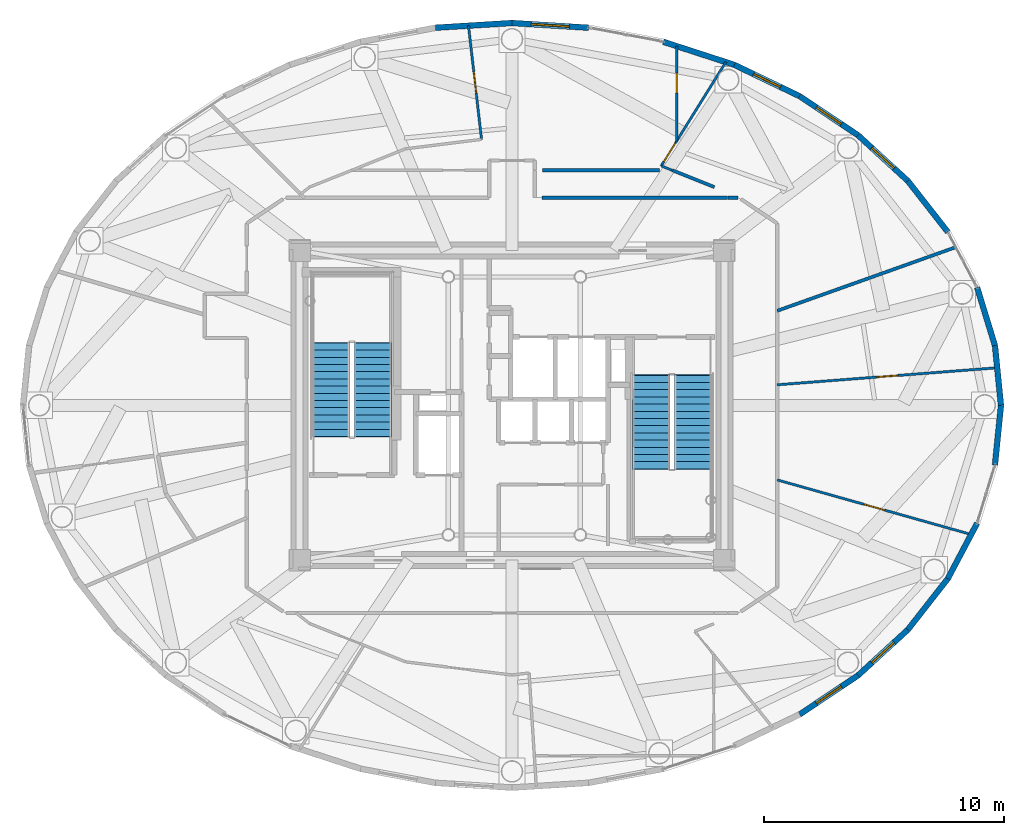
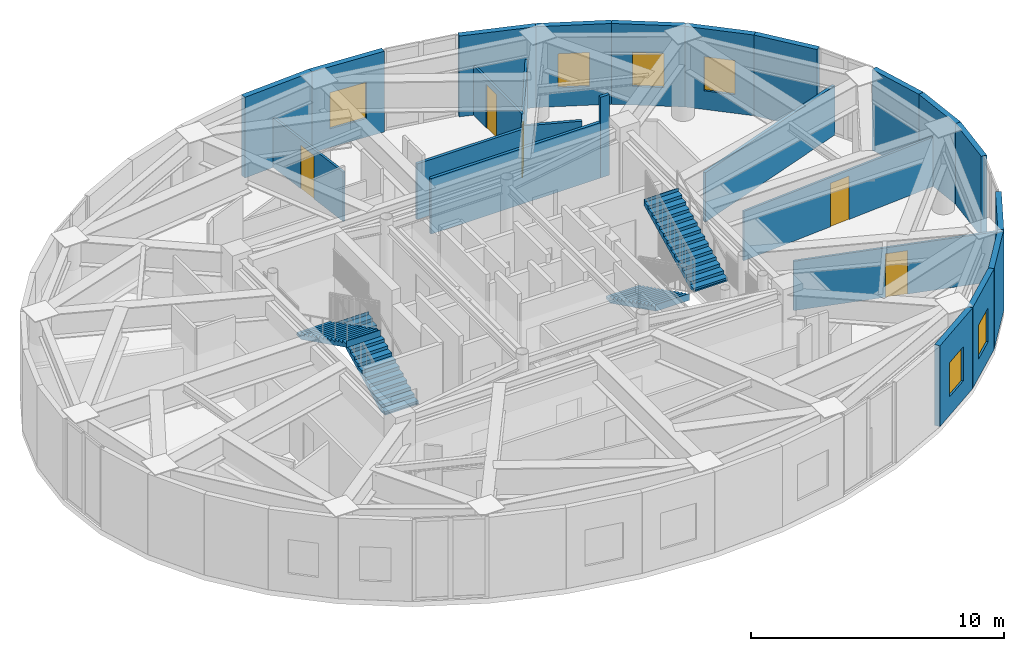
# One storey, part 17 of 23: 25 walls, 6 windows, 5 doors, 4 stair flights, 11 openings, 2 elements without a shape of their own.
"""IFC4 building model written with IfcOpenShell, lengths in metres."""

from ifc_helpers import new_model, si_unit, direction, frame, frame_2d, origin, origin_2d, place, context, subcontext, project, spatial, polyline, rectangle, outline, extrude, source, transform, mapped, material, layer, layer_set, type_object, element, fill, aggregate, save


model = new_model("IFC4")

# Units and contexts
model_context = context("Model", 3, precision=1e-05, world=origin(), true_north=direction((0.0, 1.0)))
body_context = subcontext(model_context, "Body", "Model", "MODEL_VIEW")
ifc_project = project(units=[si_unit("LENGTHUNIT", "METRE"), si_unit("AREAUNIT", "SQUARE_METRE"), si_unit("VOLUMEUNIT", "CUBIC_METRE"), si_unit("PLANEANGLEUNIT", "RADIAN"), si_unit("MASSUNIT", "GRAM", prefix="KILO")], contexts=[model_context])

# Site, building, storey
site_placement = place(None, origin())
site = spatial("IfcSite", under=ifc_project, at=site_placement, CompositionType="ELEMENT")
building_placement = place(site_placement, origin())
building = spatial("IfcBuilding", under=site, at=building_placement, Name="Linh Dai School and Residence Tower", CompositionType="ELEMENT")
storey_placement = place(building_placement, frame((0.0, 0.0, 359.39990234375)))
storey = spatial("IfcBuildingStorey", under=building, at=storey_placement, Name="L89", CompositionType="ELEMENT", Elevation=359.39990234375)

# Walls
ifc_material_1 = material(Name="Precast Concrete B45 (C35/45)", Category="concrete")
ifc_layer_1 = layer(ifc_material_1, 0.239990234375)
ifc_layer_set_1 = layer_set([ifc_layer_1], Name="Precast Concrete B45 (C35/45)")
wall_type_1 = type_object("IfcWallType", Name="EW-TC-240", PredefinedType="SOLIDWALL", material=ifc_layer_set_1)
wall_1_placement = place(storey_placement, frame((56.125, 29.48681640625, 0.0), z_axis=(0.0, 0.0, 1.0), x_axis=(0.100025963401, -0.994984827344, 0.0)))
element("IfcWall", 1, at=wall_1_placement, inside=storey, type_object=wall_type_1, Name="L89 Terracotta Exterior Wall 01", PredefinedType="SOLIDWALL", context=body_context, shape_type="SweptSolid", body=[
    extrude(rectangle(XDim=2.499267578125, YDim=0.239990234375, at=frame_2d((1.24951171875, 0.0))), origin(), (0.0, 0.0, 1.0), 3.900146484375),
])
wall_2_placement = place(storey_placement, frame((55.381103515625, 31.913330078125, 0.0), z_axis=(0.0, 0.0, 1.0), x_axis=(0.293105547213, -0.956080089842, 0.0)))
element("IfcWall", 2, at=wall_2_placement, inside=storey, type_object=wall_type_1, Name="L89 Terracotta Exterior Wall 02", PredefinedType="SOLIDWALL", context=body_context, shape_type="SweptSolid", body=[
    extrude(rectangle(XDim=2.5380859375, YDim=0.239990234375, at=frame_2d((1.26904296875, 0.0))), origin(), (0.0, 0.0, 1.0), 3.900146484375),
])
wall_3_placement = place(storey_placement, frame((52.4931640625, 36.351806640625, 0.0), z_axis=(0.0, 0.0, 1.0), x_axis=(0.616286367698, -0.78752213492, 0.0)))
element("IfcWall", 3, at=wall_3_placement, inside=storey, type_object=wall_type_1, Name="L89 Terracotta Exterior Wall 04", PredefinedType="SOLIDWALL", context=body_context, shape_type="SweptSolid", body=[
    extrude(rectangle(XDim=2.7060546875, YDim=0.239990234375, at=frame_2d((1.35302734375, 0.0))), origin(), (0.0, 0.0, 1.0), 3.900146484375),
])

# Wall, opening, window
wall_4_placement = place(storey_placement, frame((50.418701171875, 38.254150390625, 0.0), z_axis=(0.0, 0.0, 1.0), x_axis=(0.737020907932, -0.675869944051, 0.0)))
wall_4 = element("IfcWall", 4, at=wall_4_placement, inside=storey, type_object=wall_type_1, Name="L89 Terracotta Exterior Wall 05", PredefinedType="SOLIDWALL", context=body_context, shape_type="SweptSolid", body=[
    extrude(rectangle(XDim=2.814697265625, YDim=0.239990234375, at=frame_2d((1.4072265625, 0.0))), origin(), (0.0, 0.0, 1.0), 3.900146484375),
])
opening_1_placement = place(wall_4_placement, frame((0.781982421875, 0.0, 0.89990234375)))
opening_1 = element("IfcOpeningElement", 5, at=opening_1_placement, cuts=wall_4, Name="Opening W3", PredefinedType="OPENING", context=body_context, shape_type="SweptSolid", body=[
    extrude(rectangle(XDim=1.25, YDim=1.64990234375, at=origin_2d()), frame((0.625, 0.1298828125, 0.824951171875), z_axis=(0.0, -1.0, 0.0), x_axis=(1.0, 0.0, 0.0)), (0.0, 0.0, 1.0), 0.260009765625),
])
ifc_material_2 = material(Name="Double Low-E Insulated Glazing", Category="glass")
window_type_1 = type_object("IfcWindowType", Name="WN-RES-1250x1650", PartitioningType="SINGLE_PANEL", PredefinedType="WINDOW", material=ifc_material_2)
shared_shape_1 = source(origin(), body_context, "Body", "SweptSolid", [
    extrude(rectangle(XDim=1.25, YDim=1.64990234375, at=origin_2d()), frame((0.625, 0.030029296875, 0.824951171875), z_axis=(0.0, -1.0, 0.0), x_axis=(1.0, 0.0, 0.0)), (0.0, 0.0, 1.0), 0.06005859375),
])
window_1_placement = place(opening_1_placement, origin())
window_1 = element("IfcWindow", 6, at=window_1_placement, inside=storey, type_object=window_type_1, Name="L89 Exterior Window 05.1", OverallHeight=1.64990234375, OverallWidth=1.25, PartitioningType="SINGLE_PANEL", PredefinedType="WINDOW", context=body_context, shape_type="MappedRepresentation", body=[
    mapped(shared_shape_1, transform((0.0, 0.0, 0.0), x_axis=(1.0, 0.0, 0.0), y_axis=(0.0, 1.0, 0.0), z_axis=(0.0, 0.0, 1.0), scale=1.0)),
])
fill(opening_1, window_1)

wall_5_placement = place(storey_placement, frame((47.98779296875, 39.880126953125, 0.0), z_axis=(0.0, 0.0, 1.0), x_axis=(0.831201688654, -0.555970999944, 0.0)))
wall_5 = element("IfcWall", 7, at=wall_5_placement, inside=storey, type_object=wall_type_1, Name="L89 Terracotta Exterior Wall 06", PredefinedType="SOLIDWALL", context=body_context, shape_type="SweptSolid", body=[
    extrude(rectangle(XDim=2.924560546875, YDim=0.239990234375, at=frame_2d((1.46240234375, 0.0))), origin(), (0.0, 0.0, 1.0), 3.900146484375),
])
opening_2_placement = place(wall_5_placement, frame((0.837158203125, 0.0, 0.89990234375)))
opening_2 = element("IfcOpeningElement", 8, at=opening_2_placement, cuts=wall_5, Name="Opening W3", PredefinedType="OPENING", context=body_context, shape_type="SweptSolid", body=[
    extrude(rectangle(XDim=1.25, YDim=1.64990234375, at=origin_2d()), frame((0.625, 0.1298828125, 0.824951171875), z_axis=(0.0, -1.0, 0.0), x_axis=(1.0, 0.0, 0.0)), (0.0, 0.0, 1.0), 0.260009765625),
])
window_2_placement = place(opening_2_placement, origin())
window_2 = element("IfcWindow", 9, at=window_2_placement, inside=storey, type_object=window_type_1, Name="L89 Exterior Window 06.1", OverallHeight=1.64990234375, OverallWidth=1.25, PartitioningType="SINGLE_PANEL", PredefinedType="WINDOW", context=body_context, shape_type="MappedRepresentation", body=[
    mapped(shared_shape_1, transform((0.0, 0.0, 0.0), x_axis=(1.0, 0.0, 0.0), y_axis=(0.0, 1.0, 0.0), z_axis=(0.0, 0.0, 1.0), scale=1.0)),
])
fill(opening_2, window_2)

wall_6_placement = place(storey_placement, frame((45.260498046875, 41.18896484375, 0.0), z_axis=(0.0, 0.0, 1.0), x_axis=(0.901557057889, -0.432660226241, 0.0)))
wall_6 = element("IfcWall", 10, at=wall_6_placement, inside=storey, type_object=wall_type_1, Name="L89 Terracotta Exterior Wall 07", PredefinedType="SOLIDWALL", context=body_context, shape_type="SweptSolid", body=[
    extrude(rectangle(XDim=3.025146484375, YDim=0.239990234375, at=frame_2d((1.5126953125, 0.0))), origin(), (0.0, 0.0, 1.0), 3.900146484375),
])
opening_3_placement = place(wall_6_placement, frame((0.887451171875, 0.0, 0.89990234375)))
opening_3 = element("IfcOpeningElement", 11, at=opening_3_placement, cuts=wall_6, Name="Opening W3", PredefinedType="OPENING", context=body_context, shape_type="SweptSolid", body=[
    extrude(rectangle(XDim=1.25, YDim=1.64990234375, at=origin_2d()), frame((0.625, 0.1298828125, 0.824951171875), z_axis=(0.0, -1.0, 0.0), x_axis=(1.0, 0.0, 0.0)), (0.0, 0.0, 1.0), 0.260009765625),
])
window_3_placement = place(opening_3_placement, origin())
window_3 = element("IfcWindow", 12, at=window_3_placement, inside=storey, type_object=window_type_1, Name="L89 Exterior Window 07.1", OverallHeight=1.64990234375, OverallWidth=1.25, PartitioningType="SINGLE_PANEL", PredefinedType="WINDOW", context=body_context, shape_type="MappedRepresentation", body=[
    mapped(shared_shape_1, transform((0.0, 0.0, 0.0), x_axis=(1.0, 0.0, 0.0), y_axis=(0.0, 1.0, 0.0), z_axis=(0.0, 0.0, 1.0), scale=1.0)),
])
fill(opening_3, window_3)

# Wall
wall_7_placement = place(storey_placement, frame((42.303955078125, 42.14794921875, 0.0), z_axis=(0.0, 0.0, 1.0), x_axis=(0.951212850731, -0.308535431682, 0.0)))
element("IfcWall", 13, at=wall_7_placement, inside=storey, type_object=wall_type_1, Name="L89 Terracotta Exterior Wall 08", PredefinedType="SOLIDWALL", context=body_context, shape_type="SweptSolid", body=[
    extrude(rectangle(XDim=3.108154296875, YDim=0.239990234375, at=frame_2d((1.55419921875, 0.0))), origin(), (0.0, 0.0, 1.0), 3.900146484375),
])

# Wall, opening, window
wall_8_placement = place(storey_placement, frame((36.0, 42.929931640625, 0.0), z_axis=(0.0, 0.0, 1.0), x_axis=(0.998109204399, -0.061465568355, 0.0)))
wall_8 = element("IfcWall", 14, at=wall_8_placement, inside=storey, type_object=wall_type_1, Name="L89 Terracotta Exterior Wall 10", PredefinedType="SOLIDWALL", context=body_context, shape_type="SweptSolid", body=[
    extrude(rectangle(XDim=3.197509765625, YDim=0.239990234375, at=frame_2d((1.5986328125, 0.0))), origin(), (0.0, 0.0, 1.0), 3.900146484375),
])
opening_4_placement = place(wall_8_placement, frame((0.798828125, 0.0, 0.89990234375)))
opening_4 = element("IfcOpeningElement", 15, at=opening_4_placement, cuts=wall_8, Name="Opening W2", PredefinedType="OPENING", context=body_context, shape_type="SweptSolid", body=[
    extrude(rectangle(XDim=1.60009765625, YDim=1.75, at=origin_2d()), frame((0.800048828125, 0.1298828125, 0.875), z_axis=(0.0, -1.0, 0.0), x_axis=(1.0, 0.0, 0.0)), (0.0, 0.0, 1.0), 0.260009765625),
])
window_type_2 = type_object("IfcWindowType", Name="WN-RES-1600x1750", PartitioningType="DOUBLE_PANEL_VERTICAL", PredefinedType="WINDOW", material=ifc_material_2)
shared_shape_2 = source(origin(), body_context, "Body", "SweptSolid", [
    extrude(rectangle(XDim=1.60009765625, YDim=1.75, at=origin_2d()), frame((0.800048828125, 0.030029296875, 0.875), z_axis=(0.0, -1.0, 0.0), x_axis=(1.0, 0.0, 0.0)), (0.0, 0.0, 1.0), 0.06005859375),
])
window_4_placement = place(opening_4_placement, origin())
window_4 = element("IfcWindow", 16, at=window_4_placement, inside=storey, type_object=window_type_2, Name="L89 Exterior Window 10.1", OverallHeight=1.75, OverallWidth=1.60009765625, PartitioningType="DOUBLE_PANEL_VERTICAL", PredefinedType="WINDOW", context=body_context, shape_type="MappedRepresentation", body=[
    mapped(shared_shape_2, transform((0.0, 0.0, 0.0), x_axis=(1.0, 0.0, 0.0), y_axis=(0.0, 1.0, 0.0), z_axis=(0.0, 0.0, 1.0), scale=1.0)),
])
fill(opening_4, window_4)

# Wall
wall_9_placement = place(storey_placement, frame((32.80859375, 42.7333984375, 0.0), z_axis=(0.0, 0.0, 1.0), x_axis=(0.998109204399, 0.061465568355, 0.0)))
element("IfcWall", 17, at=wall_9_placement, inside=storey, type_object=wall_type_1, Name="L89 Terracotta Exterior Wall 11", PredefinedType="SOLIDWALL", context=body_context, shape_type="SweptSolid", body=[
    extrude(rectangle(XDim=3.197509765625, YDim=0.239990234375, at=frame_2d((1.5986328125, 0.0))), origin(), (0.0, 0.0, 1.0), 3.900146484375),
])

# Wall, opening, window
wall_10_placement = place(storey_placement, frame((50.418701171875, 15.745849609375, 0.0), z_axis=(0.0, 0.0, 1.0), x_axis=(-0.831201688654, -0.555970999944, 0.0)))
wall_10 = element("IfcWall", 18, at=wall_10_placement, inside=storey, type_object=wall_type_1, Name="L89 Terracotta Exterior Wall 35", PredefinedType="SOLIDWALL", context=body_context, shape_type="SweptSolid", body=[
    extrude(rectangle(XDim=2.924560546875, YDim=0.239990234375, at=frame_2d((1.46240234375, 0.0))), origin(), (0.0, 0.0, 1.0), 3.900146484375),
])
opening_5_placement = place(wall_10_placement, frame((0.83740234375, 0.0, 0.89990234375)))
opening_5 = element("IfcOpeningElement", 19, at=opening_5_placement, cuts=wall_10, Name="Opening W3", PredefinedType="OPENING", context=body_context, shape_type="SweptSolid", body=[
    extrude(rectangle(XDim=1.25, YDim=1.64990234375, at=origin_2d()), frame((0.625, 0.1298828125, 0.824951171875), z_axis=(0.0, -1.0, 0.0), x_axis=(1.0, 0.0, 0.0)), (0.0, 0.0, 1.0), 0.260009765625),
])
window_5_placement = place(opening_5_placement, origin())
window_5 = element("IfcWindow", 20, at=window_5_placement, inside=storey, type_object=window_type_1, Name="L89 Exterior Window 35.1", OverallHeight=1.64990234375, OverallWidth=1.25, PartitioningType="SINGLE_PANEL", PredefinedType="WINDOW", context=body_context, shape_type="MappedRepresentation", body=[
    mapped(shared_shape_1, transform((0.0, 0.0, 0.0), x_axis=(1.0, 0.0, 0.0), y_axis=(0.0, 1.0, 0.0), z_axis=(0.0, 0.0, 1.0), scale=1.0)),
])
fill(opening_5, window_5)

wall_11_placement = place(storey_placement, frame((52.4931640625, 17.648193359375, 0.0), z_axis=(0.0, 0.0, 1.0), x_axis=(-0.737020907932, -0.675869944051, 0.0)))
wall_11 = element("IfcWall", 21, at=wall_11_placement, inside=storey, type_object=wall_type_1, Name="L89 Terracotta Exterior Wall 36", PredefinedType="SOLIDWALL", context=body_context, shape_type="SweptSolid", body=[
    extrude(rectangle(XDim=2.814697265625, YDim=0.239990234375, at=frame_2d((1.4072265625, 0.0))), origin(), (0.0, 0.0, 1.0), 3.900146484375),
])
opening_6_placement = place(wall_11_placement, frame((0.78271484375, 0.0, 0.89990234375)))
opening_6 = element("IfcOpeningElement", 22, at=opening_6_placement, cuts=wall_11, Name="Opening W3", PredefinedType="OPENING", context=body_context, shape_type="SweptSolid", body=[
    extrude(rectangle(XDim=1.25, YDim=1.64990234375, at=origin_2d()), frame((0.625, 0.1298828125, 0.824951171875), z_axis=(0.0, -1.0, 0.0), x_axis=(1.0, 0.0, 0.0)), (0.0, 0.0, 1.0), 0.260009765625),
])
window_6_placement = place(opening_6_placement, origin())
window_6 = element("IfcWindow", 23, at=window_6_placement, inside=storey, type_object=window_type_1, Name="L89 Exterior Window 36.1", OverallHeight=1.64990234375, OverallWidth=1.25, PartitioningType="SINGLE_PANEL", PredefinedType="WINDOW", context=body_context, shape_type="MappedRepresentation", body=[
    mapped(shared_shape_1, transform((0.0, 0.0, 0.0), x_axis=(1.0, 0.0, 0.0), y_axis=(0.0, 1.0, 0.0), z_axis=(0.0, 0.0, 1.0), scale=1.0)),
])
fill(opening_6, window_6)

# Walls
wall_12_placement = place(storey_placement, frame((54.160888671875, 19.779296875, 0.0), z_axis=(0.0, 0.0, 1.0), x_axis=(-0.616286367698, -0.78752213492, 0.0)))
element("IfcWall", 24, at=wall_12_placement, inside=storey, type_object=wall_type_1, Name="L89 Terracotta Exterior Wall 37", PredefinedType="SOLIDWALL", context=body_context, shape_type="SweptSolid", body=[
    extrude(rectangle(XDim=2.7060546875, YDim=0.239990234375, at=frame_2d((1.35302734375, 0.0))), origin(), (0.0, 0.0, 1.0), 3.900146484375),
])
wall_13_placement = place(storey_placement, frame((55.381103515625, 22.086669921875, 0.0), z_axis=(0.0, 0.0, 1.0), x_axis=(-0.467487999989, -0.883999417345, 0.0)))
element("IfcWall", 25, at=wall_13_placement, inside=storey, type_object=wall_type_1, Name="L89 Terracotta Exterior Wall 38", PredefinedType="SOLIDWALL", context=body_context, shape_type="SweptSolid", body=[
    extrude(rectangle(XDim=2.610107421875, YDim=0.239990234375, at=frame_2d((1.30517578125, 0.0))), origin(), (0.0, 0.0, 1.0), 3.900146484375),
])
wall_14_placement = place(storey_placement, frame((56.375, 27.0, 0.0), z_axis=(0.0, 0.0, 1.0), x_axis=(-0.100025963401, -0.994984827344, 0.0)))
element("IfcWall", 26, at=wall_14_placement, inside=storey, type_object=wall_type_1, Name="L89 Terracotta Exterior Wall 40", PredefinedType="SOLIDWALL", context=body_context, shape_type="SweptSolid", body=[
    extrude(rectangle(XDim=2.499267578125, YDim=0.239990234375, at=frame_2d((1.24951171875, 0.0))), origin(), (0.0, 0.0, 1.0), 3.900146484375),
])
ifc_material_3 = material(Name="Autoclaved Aerated Concrete Blockwork", Category="masonry")
ifc_layer_2 = layer(ifc_material_3, 0.135009765625)
ifc_layer_set_2 = layer_set([ifc_layer_2], Name="Autoclaved Aerated Concrete Blockwork")
wall_type_2 = type_object("IfcWallType", Name="IW-CORR-135-EI90", PredefinedType="PARTITIONING", material=ifc_layer_set_2)
wall_15_placement = place(storey_placement, frame((44.999267578125, 35.64990234375, 0.0), z_axis=(0.0, 0.0, 1.0), x_axis=(1.0, 0.0, 0.0)))
element("IfcWall", 27, at=wall_15_placement, inside=storey, type_object=wall_type_2, Name="L89 Interior Partition Wall 067", PredefinedType="PARTITIONING", context=body_context, shape_type="SweptSolid", body=[
    extrude(rectangle(XDim=0.420654296875, YDim=0.135009765625, at=frame_2d((0.21044921875, 0.0))), origin(), (0.0, 0.0, 1.0), 3.900146484375),
])
wall_16_placement = place(storey_placement, frame((47.050048828125, 30.9375, 0.0), z_axis=(0.0, 0.0, 1.0), x_axis=(0.94198404568, 0.335657649524, 0.0)))
element("IfcWall", 28, at=wall_16_placement, inside=storey, type_object=wall_type_2, Name="L89 Interior Partition Wall 073", PredefinedType="PARTITIONING", context=body_context, shape_type="SweptSolid", body=[
    extrude(rectangle(XDim=7.90771484375, YDim=0.135009765625, at=frame_2d((3.953857421875, 0.0))), origin(), (0.0, 0.0, 1.0), 2.385009765625),
])
wall_17_placement = place(storey_placement, frame((37.257568359375, 35.64990234375, 0.0), z_axis=(0.0, 0.0, 1.0), x_axis=(1.0, 0.0, 0.0)))
element("IfcWall", 29, at=wall_17_placement, inside=storey, type_object=wall_type_2, Name="L89 Interior Partition Wall 077", PredefinedType="PARTITIONING", context=body_context, shape_type="SweptSolid", body=[
    extrude(rectangle(XDim=7.731689453125, YDim=0.135009765625, at=frame_2d((3.86572265625, 0.0))), origin(), (0.0, 0.0, 1.0), 2.68505859375),
])
wall_18_placement = place(storey_placement, frame((42.142333984375, 36.794921875, 0.0), z_axis=(0.0, 0.0, 1.0), x_axis=(-1.0, 0.0, 0.0)))
element("IfcWall", 30, at=wall_18_placement, inside=storey, type_object=wall_type_2, Name="L89 Interior Partition Wall 087", PredefinedType="PARTITIONING", context=body_context, shape_type="SweptSolid", body=[
    extrude(rectangle(XDim=4.86474609375, YDim=0.135009765625, at=frame_2d((2.432373046875, 0.0))), origin(), (0.0, 0.0, 1.0), 2.68505859375),
])
wall_19_placement = place(storey_placement, frame((44.434814453125, 36.092041015625, 0.0), z_axis=(0.0, 0.0, 1.0), x_axis=(-0.928778774969, 0.370634573627, 0.0)))
element("IfcWall", 31, at=wall_19_placement, inside=storey, type_object=wall_type_2, Name="L89 Interior Partition Wall 088", PredefinedType="PARTITIONING", context=body_context, shape_type="SweptSolid", body=[
    extrude(rectangle(XDim=1.89306640625, YDim=0.135009765625, at=frame_2d((0.946533203125, 0.0))), origin(), (0.0, 0.0, 1.0), 2.68505859375),
])

# Wall, opening, door
ifc_material_4 = material(Name="Gypsum Plasterboard Acoustic Stud Partition", Category="masonry")
ifc_layer_3 = layer(ifc_material_4, 0.10009765625)
ifc_layer_set_3 = layer_set([ifc_layer_3], Name="Gypsum Plasterboard Acoustic Stud Partition")
wall_type_3 = type_object("IfcWallType", Name="IW-UNIT-100", PredefinedType="PARTITIONING", material=ifc_layer_set_3)
wall_20_placement = place(storey_placement, frame((34.1865234375, 42.8232421875, 0.0), z_axis=(0.0, 0.0, 1.0), x_axis=(0.113905771164, -0.993491557737, 0.0)))
wall_20 = element("IfcWall", 32, at=wall_20_placement, inside=storey, type_object=wall_type_3, Name="L89 Interior Partition Wall 033", PredefinedType="PARTITIONING", context=body_context, shape_type="SweptSolid", body=[
    extrude(rectangle(XDim=4.773193359375, YDim=0.10009765625, at=frame_2d((2.38671875, 0.0))), origin(), (0.0, 0.0, 1.0), 2.385009765625),
])
opening_7_placement = place(wall_20_placement, frame((1.9365234375, 0.0, 0.0)))
opening_7 = element("IfcOpeningElement", 33, at=opening_7_placement, cuts=wall_20, Name="Opening D05", PredefinedType="OPENING", context=body_context, shape_type="SweptSolid", body=[
    extrude(rectangle(XDim=0.89990234375, YDim=2.10009765625, at=origin_2d()), frame((0.449951171875, 0.06005859375, 1.050048828125), z_axis=(0.0, -1.0, 0.0), x_axis=(1.0, 0.0, 0.0)), (0.0, 0.0, 1.0), 0.1201171875),
])
ifc_material_5 = material(Name="Engineered Timber Internal Door", Category="wood")
door_type_1 = type_object("IfcDoorType", Name="DR-INT-900x2100", OperationType="NOTDEFINED", PredefinedType="DOOR", material=ifc_material_5)
shared_shape_3 = source(origin(), body_context, "Body", "SweptSolid", [
    extrude(rectangle(XDim=0.89990234375, YDim=2.10009765625, at=origin_2d()), frame((0.449951171875, 0.02490234375, 1.050048828125), z_axis=(0.0, -1.0, 0.0), x_axis=(1.0, 0.0, 0.0)), (0.0, 0.0, 1.0), 0.050048828125),
])
door_1_placement = place(opening_7_placement, origin())
door_1 = element("IfcDoor", 34, at=door_1_placement, inside=storey, type_object=door_type_1, Name="L89 Apartment U8902 Principal Bedroom 2 Door", OperationType="SINGLE_SWING_RIGHT", OverallHeight=2.10009765625, OverallWidth=0.89990234375, PredefinedType="DOOR", context=body_context, shape_type="MappedRepresentation", body=[
    mapped(shared_shape_3, transform((0.0, 0.0, 0.0), x_axis=(1.0, 0.0, 0.0), y_axis=(0.0, 1.0, 0.0), z_axis=(0.0, 0.0, 1.0), scale=1.0)),
])
fill(opening_7, door_1)

# Wall
wall_21_placement = place(storey_placement, frame((42.21630859375, 36.977294921875, 0.0), z_axis=(0.0, 0.0, 1.0), x_axis=(0.926767657822, -0.375635073463, 0.0)))
element("IfcWall", 35, at=wall_21_placement, inside=storey, type_object=wall_type_3, Name="L89 Interior Partition Wall 060", PredefinedType="PARTITIONING", context=body_context, shape_type="SweptSolid", body=[
    extrude(rectangle(XDim=0.485595703125, YDim=0.10009765625, at=frame_2d((0.24267578125, 0.0))), origin(), (0.0, 0.0, 1.0), 2.68505859375),
])

# Wall, opening, door
wall_22_placement = place(storey_placement, frame((42.21630859375, 36.977294921875, 0.0), z_axis=(0.0, 0.0, 1.0), x_axis=(0.528823937776, 0.848731549334, 0.0)))
wall_22 = element("IfcWall", 36, at=wall_22_placement, inside=storey, type_object=wall_type_3, Name="L89 Interior Partition Wall 061", PredefinedType="PARTITIONING", context=body_context, shape_type="SweptSolid", body=[
    extrude(rectangle(XDim=5.10107421875, YDim=0.10009765625, at=frame_2d((2.550537109375, 0.0))), origin(), (0.0, 0.0, 1.0), 2.385009765625),
])
opening_8_placement = place(wall_22_placement, frame((0.21826171875, 0.0, 0.0)))
opening_8 = element("IfcOpeningElement", 37, at=opening_8_placement, cuts=wall_22, Name="Opening D05", PredefinedType="OPENING", context=body_context, shape_type="SweptSolid", body=[
    extrude(rectangle(XDim=0.89990234375, YDim=2.10009765625, at=origin_2d()), frame((0.449951171875, 0.06005859375, 1.050048828125), z_axis=(0.0, -1.0, 0.0), x_axis=(1.0, 0.0, 0.0)), (0.0, 0.0, 1.0), 0.1201171875),
])
door_2_placement = place(opening_8_placement, origin())
door_2 = element("IfcDoor", 38, at=door_2_placement, inside=storey, type_object=door_type_1, Name="L89 Apartment U8902 Principal Bedroom 1 Door", OperationType="SINGLE_SWING_LEFT", OverallHeight=2.10009765625, OverallWidth=0.89990234375, PredefinedType="DOOR", context=body_context, shape_type="MappedRepresentation", body=[
    mapped(shared_shape_3, transform((0.0, 0.0, 0.0), x_axis=(1.0, 0.0, 0.0), y_axis=(0.0, 1.0, 0.0), z_axis=(0.0, 0.0, 1.0), scale=1.0)),
])
fill(opening_8, door_2)

wall_23_placement = place(storey_placement, frame((42.863037109375, 38.01513671875, 0.0), z_axis=(0.0, 0.0, 1.0), x_axis=(0.0, 1.0, 0.0)))
wall_23 = element("IfcWall", 39, at=wall_23_placement, inside=storey, type_object=wall_type_3, Name="L89 Interior Partition Wall 062", PredefinedType="PARTITIONING", context=body_context, shape_type="SweptSolid", body=[
    extrude(rectangle(XDim=3.956787109375, YDim=0.10009765625, at=frame_2d((1.978515625, 0.0))), origin(), (0.0, 0.0, 1.0), 2.385009765625),
])
opening_9_placement = place(wall_23_placement, frame((2.0029296875, 0.0, 0.0)))
opening_9 = element("IfcOpeningElement", 40, at=opening_9_placement, cuts=wall_23, Name="Opening D06", PredefinedType="OPENING", context=body_context, shape_type="SweptSolid", body=[
    extrude(rectangle(XDim=0.820068359375, YDim=2.10009765625, at=origin_2d()), frame((0.41015625, 0.06005859375, 1.050048828125), z_axis=(0.0, -1.0, 0.0), x_axis=(1.0, 0.0, 0.0)), (0.0, 0.0, 1.0), 0.1201171875),
])
ifc_material_6 = material(Name="Moisture-Resistant Timber Bathroom Door", Category="wood")
door_type_2 = type_object("IfcDoorType", Name="DR-WET-820x2100", OperationType="NOTDEFINED", PredefinedType="DOOR", material=ifc_material_6)
shared_shape_4 = source(origin(), body_context, "Body", "SweptSolid", [
    extrude(rectangle(XDim=0.820068359375, YDim=2.10009765625, at=origin_2d()), frame((0.41015625, 0.02490234375, 1.050048828125), z_axis=(0.0, -1.0, 0.0), x_axis=(1.0, 0.0, 0.0)), (0.0, 0.0, 1.0), 0.050048828125),
])
door_3_placement = place(opening_9_placement, origin())
door_3 = element("IfcDoor", 41, at=door_3_placement, inside=storey, type_object=door_type_2, Name="L89 Apartment U8902 Bathroom 1 Door", OperationType="SINGLE_SWING_LEFT", OverallHeight=2.10009765625, OverallWidth=0.820068359375, PredefinedType="DOOR", context=body_context, shape_type="MappedRepresentation", body=[
    mapped(shared_shape_4, transform((0.0, 0.0, 0.0), x_axis=(1.0, 0.0, 0.0), y_axis=(0.0, 1.0, 0.0), z_axis=(0.0, 0.0, 1.0), scale=1.0)),
])
fill(opening_9, door_3)

wall_24_placement = place(storey_placement, frame((47.050048828125, 23.89208984375, 0.0), z_axis=(0.0, 0.0, 1.0), x_axis=(0.962641946569, -0.27077755207, 0.0)))
wall_24 = element("IfcWall", 42, at=wall_24_placement, inside=storey, type_object=wall_type_3, Name="L89 Interior Partition Wall 071", PredefinedType="PARTITIONING", context=body_context, shape_type="SweptSolid", body=[
    extrude(rectangle(XDim=8.40234375, YDim=0.10009765625, at=frame_2d((4.201171875, 0.0))), origin(), (0.0, 0.0, 1.0), 2.385009765625),
])
opening_10_placement = place(wall_24_placement, frame((3.751220703125, 0.0, 0.0)))
opening_10 = element("IfcOpeningElement", 43, at=opening_10_placement, cuts=wall_24, Name="Opening D05", PredefinedType="OPENING", context=body_context, shape_type="SweptSolid", body=[
    extrude(rectangle(XDim=0.89990234375, YDim=2.10009765625, at=origin_2d()), frame((0.449951171875, 0.06005859375, 1.050048828125), z_axis=(0.0, -1.0, 0.0), x_axis=(1.0, 0.0, 0.0)), (0.0, 0.0, 1.0), 0.1201171875),
])
door_4_placement = place(opening_10_placement, origin())
door_4 = element("IfcDoor", 44, at=door_4_placement, inside=storey, type_object=door_type_1, Name="L89 Apartment U8901 Principal Bedroom 4 Door", OperationType="SINGLE_SWING_RIGHT", OverallHeight=2.10009765625, OverallWidth=0.89990234375, PredefinedType="DOOR", context=body_context, shape_type="MappedRepresentation", body=[
    mapped(shared_shape_3, transform((0.0, 0.0, 0.0), x_axis=(1.0, 0.0, 0.0), y_axis=(0.0, 1.0, 0.0), z_axis=(0.0, 0.0, 1.0), scale=1.0)),
])
fill(opening_10, door_4)

wall_25_placement = place(storey_placement, frame((47.050048828125, 27.85498046875, 0.0), z_axis=(0.0, 0.0, 1.0), x_axis=(0.997020043605, 0.077142936487, 0.0)))
wall_25 = element("IfcWall", 45, at=wall_25_placement, inside=storey, type_object=wall_type_3, Name="L89 Interior Partition Wall 072", PredefinedType="PARTITIONING", context=body_context, shape_type="SweptSolid", body=[
    extrude(rectangle(XDim=9.199951171875, YDim=0.10009765625, at=frame_2d((4.60009765625, 0.0))), origin(), (0.0, 0.0, 1.0), 2.385009765625),
])
opening_11_placement = place(wall_25_placement, frame((4.150146484375, 0.0, 0.0)))
opening_11 = element("IfcOpeningElement", 46, at=opening_11_placement, cuts=wall_25, Name="Opening D05", PredefinedType="OPENING", context=body_context, shape_type="SweptSolid", body=[
    extrude(rectangle(XDim=0.89990234375, YDim=2.10009765625, at=origin_2d()), frame((0.449951171875, 0.06005859375, 1.050048828125), z_axis=(0.0, -1.0, 0.0), x_axis=(1.0, 0.0, 0.0)), (0.0, 0.0, 1.0), 0.1201171875),
])
door_5_placement = place(opening_11_placement, origin())
door_5 = element("IfcDoor", 47, at=door_5_placement, inside=storey, type_object=door_type_1, Name="L89 Apartment U8901 Study Door", OperationType="SINGLE_SWING_LEFT", OverallHeight=2.10009765625, OverallWidth=0.89990234375, PredefinedType="DOOR", context=body_context, shape_type="MappedRepresentation", body=[
    mapped(shared_shape_3, transform((0.0, 0.0, 0.0), x_axis=(1.0, 0.0, 0.0), y_axis=(0.0, 1.0, 0.0), z_axis=(0.0, 0.0, 1.0), scale=1.0)),
])
fill(opening_11, door_5)

# Stair, stair flights
ifc_material_7 = material(Name="Concrete B45 (C35/45)", Category="concrete")
stair_type = type_object("IfcStairType", Name="ST-DOG-1550-R1500", PredefinedType="HALF_TURN_STAIR", material=ifc_material_7)
stair_1_placement = place(storey_placement, origin())
stair_1 = element("IfcStair", 48, at=stair_1_placement, inside=storey, type_object=stair_type, Name="L89 Core Smokeproof Exit Stair ST1", PredefinedType="HALF_TURN_STAIR")
stair_flight_type = type_object("IfcStairFlightType", Name="STF-STR-1550-R1500", PredefinedType="STRAIGHT", material=ifc_material_7)
shared_shape_5 = source(origin(), body_context, "Body", "SweptSolid", [
    extrude(outline(polyline([(-0.02490234375, 0.0), (-0.02490234375, 0.06005859375), (0.0, 0.06005859375), (0.0, 0.14990234375), (0.300048828125, 0.14990234375), (0.300048828125, 0.300048828125), (0.60009765625, 0.300048828125), (0.60009765625, 0.449951171875), (0.89990234375, 0.449951171875), (0.89990234375, 0.60009765625), (1.199951171875, 0.60009765625), (1.199951171875, 0.75), (1.5, 0.75), (1.5, 0.89990234375), (1.800048828125, 0.89990234375), (1.800048828125, 1.050048828125), (2.10009765625, 1.050048828125), (2.10009765625, 1.199951171875), (2.39990234375, 1.199951171875), (2.39990234375, 1.35009765625), (2.699951171875, 1.35009765625), (2.699951171875, 1.5), (3.0, 1.5), (3.0, 1.64990234375), (3.300048828125, 1.64990234375), (3.300048828125, 1.800048828125), (3.60009765625, 1.800048828125), (3.60009765625, 1.949951171875), (3.89990234375, 1.949951171875), (3.89990234375, 2.10009765625), (3.925048828125, 2.10009765625), (3.925048828125, 1.782470703125), (3.89990234375, 1.782470703125), (0.335205078125, 0.0), (-0.02490234375, 0.0)])), frame((0.0, 0.77490234375, 0.0), z_axis=(0.0, -1.0, 0.0), x_axis=(1.0, 0.0, 0.0)), (0.0, 0.0, 1.0), 1.550048828125),
])
stair_flight_1_placement = place(storey_placement, frame((30.205078125, 25.699951171875, 0.0), z_axis=(0.0, 0.0, 1.0), x_axis=(0.0, 1.0, 0.0)))
stair_flight_1 = element("IfcStairFlight", 49, at=stair_flight_1_placement, type_object=stair_flight_type, Name="ST1 flight 1", NumberOfRisers=14, NumberOfTreads=13, PredefinedType="STRAIGHT", RiserHeight=0.15, TreadLength=0.3, context=body_context, shape_type="MappedRepresentation", body=[
    mapped(shared_shape_5, transform((0.0, 0.0, 0.0), x_axis=(1.0, 0.0, 0.0), y_axis=(0.0, 1.0, 0.0), z_axis=(0.0, 0.0, 1.0), scale=1.0)),
])
stair_flight_2_placement = place(storey_placement, frame((28.455078125, 29.60009765625, 2.10009765625), z_axis=(0.0, 0.0, 1.0), x_axis=(0.0, -1.0, 0.0)))
stair_flight_2 = element("IfcStairFlight", 50, at=stair_flight_2_placement, type_object=stair_flight_type, Name="ST1 flight 2", NumberOfRisers=14, NumberOfTreads=13, PredefinedType="STRAIGHT", RiserHeight=0.15, TreadLength=0.3, context=body_context, shape_type="MappedRepresentation", body=[
    mapped(shared_shape_5, transform((0.0, 0.0, 0.0), x_axis=(1.0, 0.0, 0.0), y_axis=(0.0, 1.0, 0.0), z_axis=(0.0, 0.0, 1.0), scale=1.0)),
])
aggregate(stair_1, [stair_flight_1, stair_flight_2])

stair_2_placement = place(storey_placement, origin())
stair_2 = element("IfcStair", 51, at=stair_2_placement, inside=storey, type_object=stair_type, Name="L89 Core Smokeproof Exit Stair ST2", PredefinedType="HALF_TURN_STAIR")
stair_flight_3_placement = place(storey_placement, frame((41.794921875, 28.25, 0.0), z_axis=(0.0, 0.0, 1.0), x_axis=(0.0, -1.0, 0.0)))
stair_flight_3 = element("IfcStairFlight", 52, at=stair_flight_3_placement, type_object=stair_flight_type, Name="ST2 flight 1", NumberOfRisers=14, NumberOfTreads=13, PredefinedType="STRAIGHT", RiserHeight=0.15, TreadLength=0.3, context=body_context, shape_type="MappedRepresentation", body=[
    mapped(shared_shape_5, transform((0.0, 0.0, 0.0), x_axis=(1.0, 0.0, 0.0), y_axis=(0.0, 1.0, 0.0), z_axis=(0.0, 0.0, 1.0), scale=1.0)),
])
stair_flight_4_placement = place(storey_placement, frame((43.544921875, 24.35009765625, 2.10009765625), z_axis=(0.0, 0.0, 1.0), x_axis=(0.0, 1.0, 0.0)))
stair_flight_4 = element("IfcStairFlight", 53, at=stair_flight_4_placement, type_object=stair_flight_type, Name="ST2 flight 2", NumberOfRisers=14, NumberOfTreads=13, PredefinedType="STRAIGHT", RiserHeight=0.15, TreadLength=0.3, context=body_context, shape_type="MappedRepresentation", body=[
    mapped(shared_shape_5, transform((0.0, 0.0, 0.0), x_axis=(1.0, 0.0, 0.0), y_axis=(0.0, 1.0, 0.0), z_axis=(0.0, 0.0, 1.0), scale=1.0)),
])
aggregate(stair_2, [stair_flight_3, stair_flight_4])

save(model, "model.ifc")
